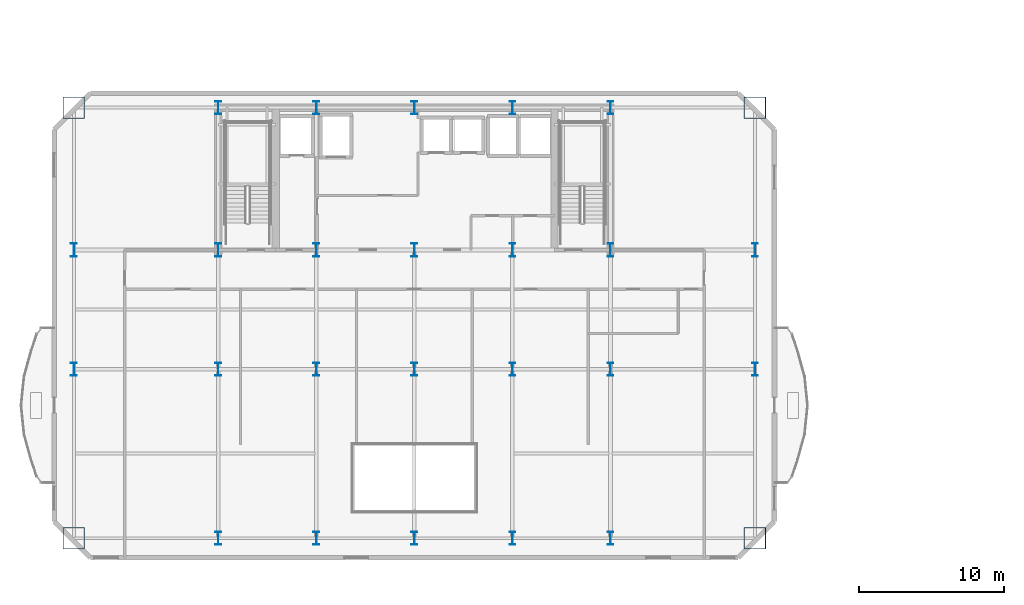
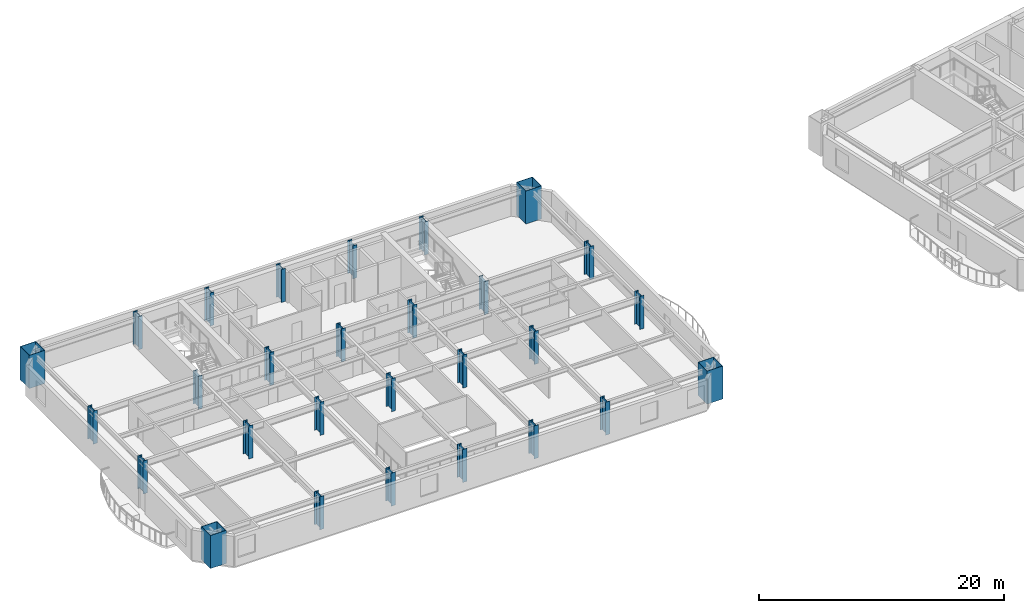
# One storey, part 1 of 14: 28 columns.
"""IFC4 building model written with IfcOpenShell, lengths in metres."""

from ifc_helpers import new_model, si_unit, direction, frame, origin, origin_2d, place, context, subcontext, project, spatial, hollow_rectangle, i_section, extrude, material, material_profile, profile_set, type_object, element, save


model = new_model("IFC4")

# Units and contexts
model_context = context("Model", 3, precision=1e-05, world=origin(), true_north=direction((0.0, 1.0)))
body_context = subcontext(model_context, "Body", "Model", "MODEL_VIEW")
ifc_project = project(units=[si_unit("LENGTHUNIT", "METRE"), si_unit("AREAUNIT", "SQUARE_METRE"), si_unit("VOLUMEUNIT", "CUBIC_METRE"), si_unit("PLANEANGLEUNIT", "RADIAN"), si_unit("MASSUNIT", "GRAM", prefix="KILO")], contexts=[model_context])

# Site, building, storey
site_placement = place(None, origin())
site = spatial("IfcSite", under=ifc_project, at=site_placement, CompositionType="ELEMENT")
building_placement = place(site_placement, origin())
building = spatial("IfcBuilding", under=site, at=building_placement, Name="Haevon Station Towers", CompositionType="ELEMENT")
storey_placement = place(building_placement, frame((0.0, 0.0, 86.699951171875)))
storey = spatial("IfcBuildingStorey", under=building, at=storey_placement, Name="L22", CompositionType="ELEMENT", Elevation=86.699951171875)

# Columns
ifc_material = material(Name="Steel S460", Category="steel")
ifc_material_profile_1 = material_profile(ifc_material, hollow_rectangle(XDim=1.5, YDim=1.5, WallThickness=0.0400390625, at=origin_2d()), Name="BOX-1500x1500x40")
ifc_profile_set_1 = profile_set([ifc_material_profile_1], Name="Steel S460")
column_type_1 = type_object("IfcColumnType", Name="COL-MC2", PredefinedType="COLUMN", material=ifc_profile_set_1)
for number, where, z_axis, x_axis, name in (
    (1, (14.050048828125, 18.35009765625, 0.0), (0.0, 0.0, 1.0), (1.0, 0.0, 0.0), "COL-T1-L22-01-01"),
    (2, (14.050048828125, 48.0, 0.0), (0.0, 0.0, 1.0), (1.0, 0.0, 0.0), "COL-T1-L22-01-04"),
    (3, (60.949951171875, 18.35009765625, 0.0), (0.0, 0.0, 1.0), (1.0, 0.0, 0.0), "COL-T1-L22-07-01"),
    (4, (60.949951171875, 48.0, 0.0), (0.0, 0.0, 1.0), (1.0, 0.0, 0.0), "COL-T1-L22-07-04"),
):
    element("IfcColumn", number, at=place(storey_placement, frame(where, z_axis=z_axis, x_axis=x_axis)), inside=storey, type_object=column_type_1, Name=name, PredefinedType="COLUMN", context=body_context, shape_type="SweptSolid", body=[
        extrude(hollow_rectangle(XDim=1.5, YDim=1.5, WallThickness=0.0400390625, at=origin_2d()), origin(), (0.0, 0.0, 1.0), 3.300048828125),
    ])
ifc_material_profile_2 = material_profile(ifc_material, i_section(OverallWidth=0.39990234375, OverallDepth=0.89990234375, WebThickness=0.02001953125, FlangeThickness=0.035888671875, at=origin_2d()), Name="H-900x400x20x36")
ifc_profile_set_2 = profile_set([ifc_material_profile_2], Name="Steel S460")
column_type_2 = type_object("IfcColumnType", Name="COL-TW1", PredefinedType="COLUMN", material=ifc_profile_set_2)
for number, where, z_axis, x_axis, name in (
    (5, (14.050048828125, 30.0, 0.0), (0.0, 0.0, 1.0), (1.0, 0.0, 0.0), "COL-T1-L22-01-02"),
    (6, (14.050048828125, 38.199951171875, 0.0), (0.0, 0.0, 1.0), (1.0, 0.0, 0.0), "COL-T1-L22-01-03"),
    (7, (24.0, 18.35009765625, 0.0), (0.0, 0.0, 1.0), (1.0, 0.0, 0.0), "COL-T1-L22-02-01"),
    (8, (24.0, 30.0, 0.0), (0.0, 0.0, 1.0), (1.0, 0.0, 0.0), "COL-T1-L22-02-02"),
    (9, (24.0, 38.199951171875, 0.0), (0.0, 0.0, 1.0), (1.0, 0.0, 0.0), "COL-T1-L22-02-03"),
    (10, (24.0, 48.0, 0.0), (0.0, 0.0, 1.0), (1.0, 0.0, 0.0), "COL-T1-L22-02-04"),
    (11, (30.75, 18.35009765625, 0.0), (0.0, 0.0, 1.0), (1.0, 0.0, 0.0), "COL-T1-L22-03-01"),
    (12, (30.75, 30.0, 0.0), (0.0, 0.0, 1.0), (1.0, 0.0, 0.0), "COL-T1-L22-03-02"),
    (13, (30.75, 38.199951171875, 0.0), (0.0, 0.0, 1.0), (1.0, 0.0, 0.0), "COL-T1-L22-03-03"),
    (14, (30.75, 48.0, 0.0), (0.0, 0.0, 1.0), (1.0, 0.0, 0.0), "COL-T1-L22-03-04"),
    (15, (37.5, 18.35009765625, 0.0), (0.0, 0.0, 1.0), (1.0, 0.0, 0.0), "COL-T1-L22-04-01"),
    (16, (37.5, 30.0, 0.0), (0.0, 0.0, 1.0), (1.0, 0.0, 0.0), "COL-T1-L22-04-02"),
    (17, (37.5, 38.199951171875, 0.0), (0.0, 0.0, 1.0), (1.0, 0.0, 0.0), "COL-T1-L22-04-03"),
    (18, (37.5, 48.0, 0.0), (0.0, 0.0, 1.0), (1.0, 0.0, 0.0), "COL-T1-L22-04-04"),
    (19, (44.25, 18.35009765625, 0.0), (0.0, 0.0, 1.0), (1.0, 0.0, 0.0), "COL-T1-L22-05-01"),
    (20, (44.25, 30.0, 0.0), (0.0, 0.0, 1.0), (1.0, 0.0, 0.0), "COL-T1-L22-05-02"),
    (21, (44.25, 38.199951171875, 0.0), (0.0, 0.0, 1.0), (1.0, 0.0, 0.0), "COL-T1-L22-05-03"),
    (22, (44.25, 48.0, 0.0), (0.0, 0.0, 1.0), (1.0, 0.0, 0.0), "COL-T1-L22-05-04"),
    (23, (51.0, 18.35009765625, 0.0), (0.0, 0.0, 1.0), (1.0, 0.0, 0.0), "COL-T1-L22-06-01"),
    (24, (51.0, 30.0, 0.0), (0.0, 0.0, 1.0), (1.0, 0.0, 0.0), "COL-T1-L22-06-02"),
    (25, (51.0, 38.199951171875, 0.0), (0.0, 0.0, 1.0), (1.0, 0.0, 0.0), "COL-T1-L22-06-03"),
    (26, (51.0, 48.0, 0.0), (0.0, 0.0, 1.0), (1.0, 0.0, 0.0), "COL-T1-L22-06-04"),
    (27, (60.949951171875, 30.0, 0.0), (0.0, 0.0, 1.0), (1.0, 0.0, 0.0), "COL-T1-L22-07-02"),
    (28, (60.949951171875, 38.199951171875, 0.0), (0.0, 0.0, 1.0), (1.0, 0.0, 0.0), "COL-T1-L22-07-03"),
):
    element("IfcColumn", number, at=place(storey_placement, frame(where, z_axis=z_axis, x_axis=x_axis)), inside=storey, type_object=column_type_2, Name=name, PredefinedType="COLUMN", context=body_context, shape_type="SweptSolid", body=[
        extrude(i_section(OverallWidth=0.39990234375, OverallDepth=0.89990234375, WebThickness=0.02001953125, FlangeThickness=0.035888671875, at=origin_2d()), origin(), (0.0, 0.0, 1.0), 3.300048828125),
    ])

save(model, "model.ifc")
